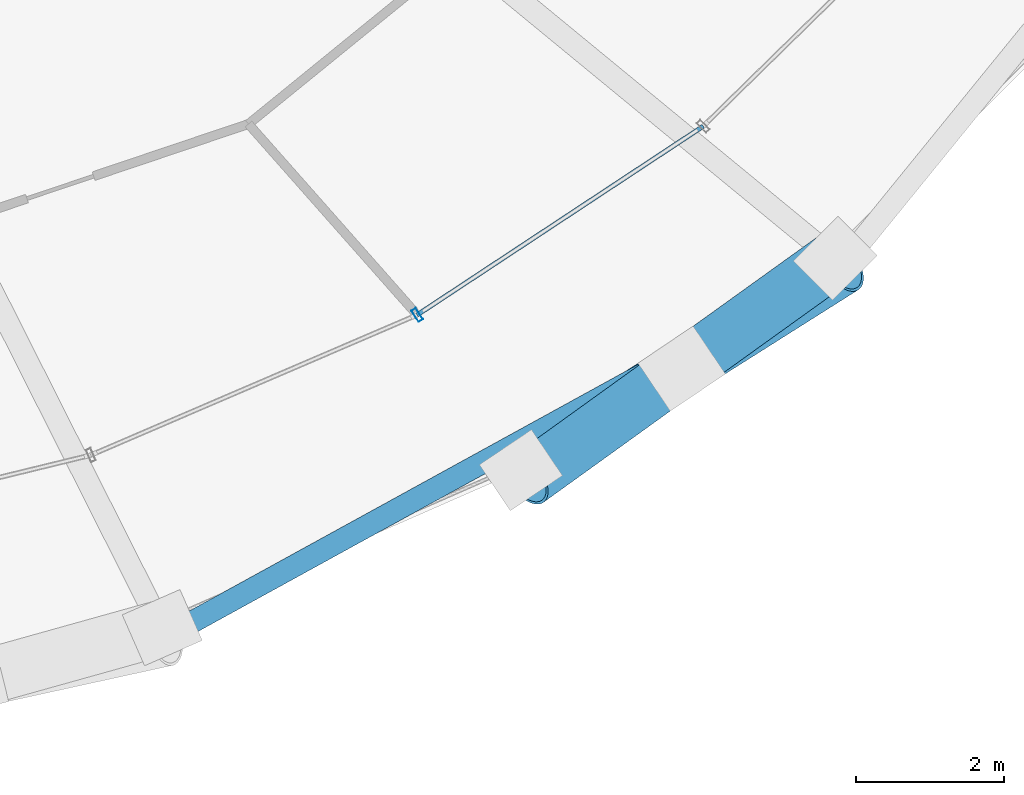
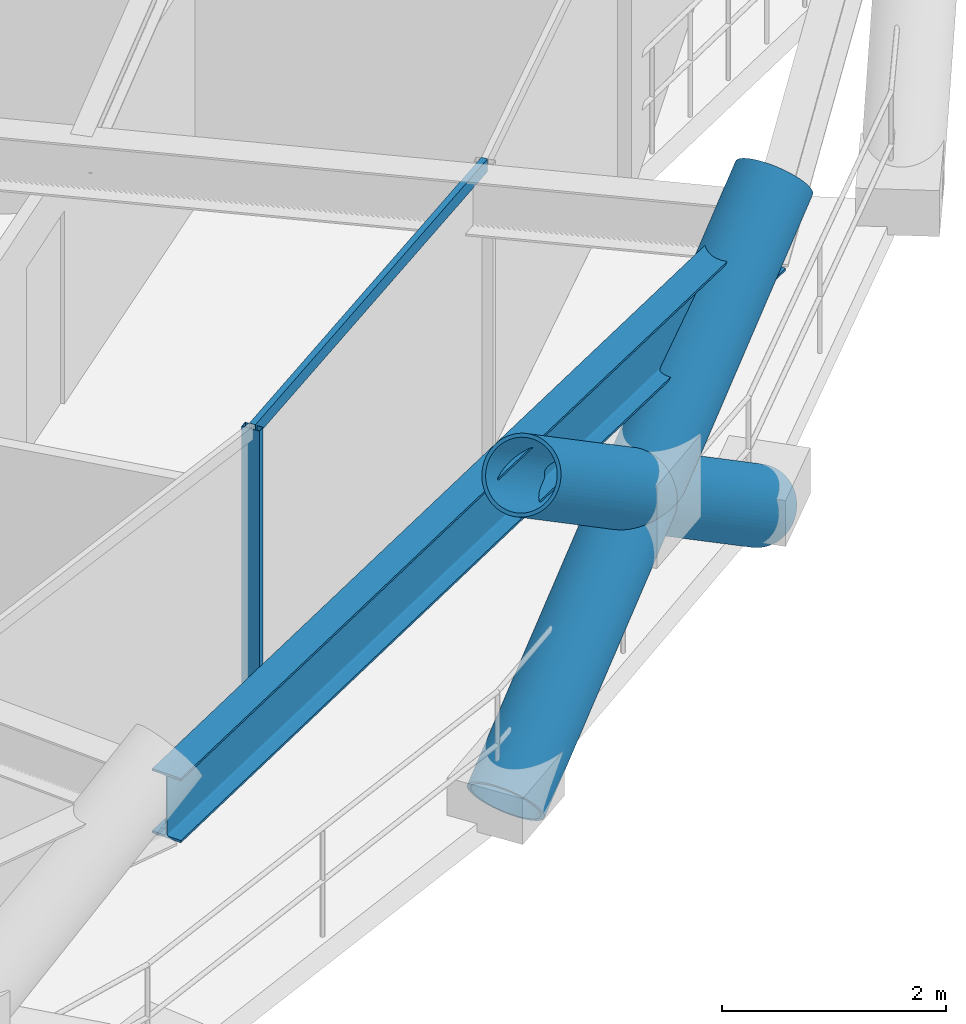
# One storey, part 7 of 18: 5 members, 1 beam, 1 element without a shape of its own.
"""IFC4 building model written with IfcOpenShell, lengths in metres."""

from ifc_helpers import new_model, si_unit, direction, frame, origin, origin_2d, place, context, subcontext, project, spatial, hollow_rectangle, hollow_circle, i_section, extrude, material, layer, layer_set, material_profile, profile_set, type_object, element, aggregate, save


model = new_model("IFC4")

# Units and contexts
model_context = context("Model", 3, precision=1e-05, world=origin(), true_north=direction((0.0, 1.0)))
body_context = subcontext(model_context, "Body", "Model", "MODEL_VIEW")
ifc_project = project(units=[si_unit("LENGTHUNIT", "METRE"), si_unit("AREAUNIT", "SQUARE_METRE"), si_unit("VOLUMEUNIT", "CUBIC_METRE"), si_unit("PLANEANGLEUNIT", "RADIAN"), si_unit("MASSUNIT", "GRAM", prefix="KILO")], contexts=[model_context])

# Site, building, storey
site_placement = place(None, origin())
site = spatial("IfcSite", under=ifc_project, at=site_placement, CompositionType="ELEMENT")
building_placement = place(site_placement, origin())
building = spatial("IfcBuilding", under=site, at=building_placement, Name="Veldorina Hangang Commons", CompositionType="ELEMENT")
storey_placement = place(building_placement, frame((0.0, 0.0, 41.199951171875)))
storey = spatial("IfcBuildingStorey", under=building, at=storey_placement, Name="L09", CompositionType="ELEMENT", Elevation=41.199951171875)

# Beam
ifc_material_1 = material(Name="Steel SM460-TMC", Category="steel")
ifc_material_profile_1 = material_profile(ifc_material_1, i_section(OverallWidth=0.300048828125, OverallDepth=0.699951171875, WebThickness=0.012939453125, FlangeThickness=0.02392578125, FilletRadius=0.02197265625, at=origin_2d()), Name="H-700x300x13x24")
ifc_profile_set_1 = profile_set([ifc_material_profile_1], Name="Steel SM460-TMC")
beam_type = type_object("IfcBeamType", Name="BM-RB700", PredefinedType="BEAM", material=ifc_profile_set_1)
beam_placement = place(storey_placement, frame((42.7626953125, 2.6357421875, 2.989990234375), z_axis=(0.876445056025, 0.481501883453, 0.0), x_axis=(-0.481501883453, 0.876445056025, 0.0)))
element("IfcBeam", 1, at=beam_placement, inside=storey, type_object=beam_type, Name="L09 perimeter hoop ring beam 26", PredefinedType="BEAM", context=body_context, shape_type="SweptSolid", body=[
    extrude(i_section(OverallWidth=0.300048828125, OverallDepth=0.699951171875, WebThickness=0.012939453125, FlangeThickness=0.02392578125, FilletRadius=0.02197265625, at=origin_2d()), origin(), (0.0, 0.0, 1.0), 10.41064453125),
])

# Curtain wall, members
ifc_material_2 = material(Name="Glass Low-E Triple IGU", Category="glass")
ifc_layer = layer(ifc_material_2, 0.179931640625)
ifc_layer_set = layer_set([ifc_layer], Name="Glass Low-E Triple IGU")
curtain_wall_type = type_object("IfcCurtainWallType", Name="CW-SYS-Z1", PredefinedType="NOTDEFINED", material=ifc_layer_set)
curtain_wall_placement = place(storey_placement, origin())
curtain_wall = element("IfcCurtainWall", 2, at=curtain_wall_placement, inside=storey, type_object=curtain_wall_type, Name="L09 unitised curtain wall CW-L09-R2", PredefinedType="NOTDEFINED")
ifc_material_3 = material(Name="Aluminium Anodized AA6063-T6", Category="aluminium")
ifc_material_profile_2 = material_profile(ifc_material_3, hollow_rectangle(XDim=0.070068359375, YDim=0.179931640625, WallThickness=0.00390625, at=origin_2d()), Name="ALU-RHS-180x70x4")
ifc_profile_set_2 = profile_set([ifc_material_profile_2], Name="Aluminium Anodized AA6063-T6")
member_type_1 = type_object("IfcMemberType", Name="CW-MUL-180", PredefinedType="MULLION", material=ifc_profile_set_2)
member_1_placement = place(storey_placement, frame((46.1533203125, 6.975341796875, 0.0), z_axis=(0.0, 0.0, 1.0), x_axis=(0.834751773535, 0.55062644014, 0.0)))
member_1 = element("IfcMember", 3, at=member_1_placement, type_object=member_type_1, Name="CW-L09-R2 vertical mullion 4", PredefinedType="MULLION", context=body_context, shape_type="SweptSolid", body=[
    extrude(hollow_rectangle(XDim=0.070068359375, YDim=0.179931640625, WallThickness=0.00390625, at=origin_2d()), origin(), (0.0, 0.0, 1.0), 3.300048828125),
])
ifc_material_profile_3 = material_profile(ifc_material_3, hollow_rectangle(XDim=0.06005859375, YDim=0.139892578125, WallThickness=0.00341796875, at=origin_2d()), Name="ALU-RHS-140x60x3.5")
ifc_profile_set_3 = profile_set([ifc_material_profile_3], Name="Aluminium Anodized AA6063-T6")
member_type_2 = type_object("IfcMemberType", Name="CW-TRN-140", PredefinedType="USERDEFINED", material=ifc_profile_set_3)
member_2_placement = place(storey_placement, frame((46.1533203125, 6.975341796875, 3.260009765625), z_axis=(0.834769065436, 0.550600224656, 0.0), x_axis=(-0.550600224656, 0.834769065436, 0.0)))
member_2 = element("IfcMember", 4, at=member_2_placement, type_object=member_type_2, Name="CW-L09-R2 facet 4 transom 1", ObjectType="TRANSOM", PredefinedType="USERDEFINED", context=body_context, shape_type="SweptSolid", body=[
    extrude(hollow_rectangle(XDim=0.06005859375, YDim=0.139892578125, WallThickness=0.00341796875, at=origin_2d()), origin(), (0.0, 0.0, 1.0), 4.624755859375),
])
aggregate(curtain_wall, [member_1, member_2])

# Members
ifc_material_profile_4 = material_profile(ifc_material_1, hollow_circle(Radius=0.375, WallThickness=0.035888671875, at=origin_2d()), Name="CHS-750x36")
ifc_profile_set_4 = profile_set([ifc_material_profile_4], Name="Steel SM460-TMC")
member_type_3 = type_object("IfcMemberType", Name="DG-CHS750", PredefinedType="BRACE", material=ifc_profile_set_4)
member_3_placement = place(storey_placement, frame((47.553466796875, 4.8798828125, 0.0), z_axis=(0.6927808652, 0.437758536161, 0.573081265468), x_axis=(-0.534178540661, 0.845371685531, 0.0)))
element("IfcMember", 5, at=member_3_placement, inside=storey, type_object=member_type_3, Name="L09 continuous perimeter diagrid brace 27", PredefinedType="BRACE", context=body_context, shape_type="SweptSolid", body=[
    extrude(hollow_circle(Radius=0.375, WallThickness=0.035888671875, at=origin_2d()), origin(), (0.0, 0.0, 1.0), 6.281982421875),
])
member_4_placement = place(storey_placement, frame((51.795654296875, 7.73974609375, 0.0), z_axis=(-0.664327387264, -0.47721385411, 0.575270423346), x_axis=(0.583417203787, -0.812172621014, 0.0)))
element("IfcMember", 6, at=member_4_placement, inside=storey, type_object=member_type_3, Name="L09 split perimeter diagrid lower brace 28", PredefinedType="BRACE", context=body_context, shape_type="SweptSolid", body=[
    extrude(hollow_circle(Radius=0.375, WallThickness=0.035888671875, at=origin_2d()), origin(), (0.0, 0.0, 1.0), 3.11962890625),
])
member_5_placement = place(storey_placement, frame((49.72314453125, 6.2509765625, 1.794677734375), z_axis=(-0.663815625638, -0.477987698564, 0.575218719428), x_axis=(0.584337290958, -0.811510893578, 0.0)))
element("IfcMember", 7, at=member_5_placement, inside=storey, type_object=member_type_3, Name="L09 split perimeter diagrid upper brace 28", PredefinedType="BRACE", context=body_context, shape_type="SweptSolid", body=[
    extrude(hollow_circle(Radius=0.375, WallThickness=0.035888671875, at=origin_2d()), origin(), (0.0, 0.0, 1.0), 3.138671875),
])

save(model, "model.ifc")
